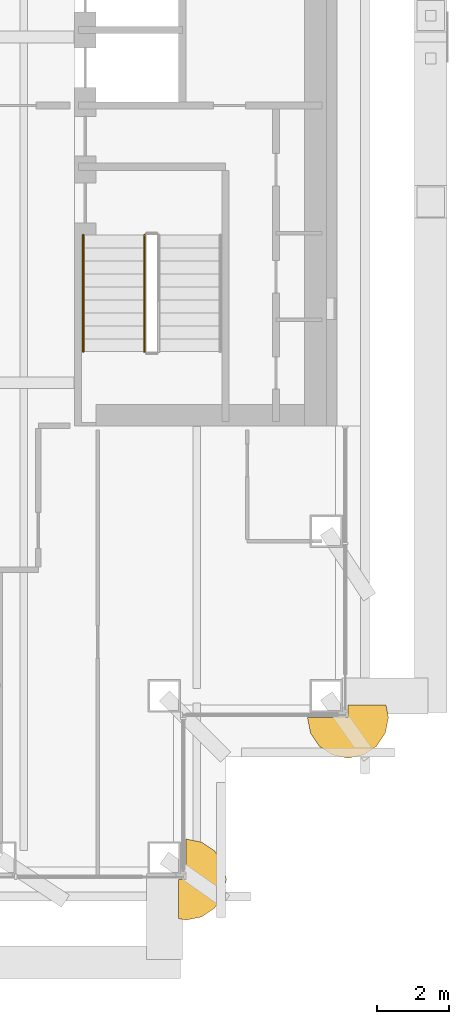
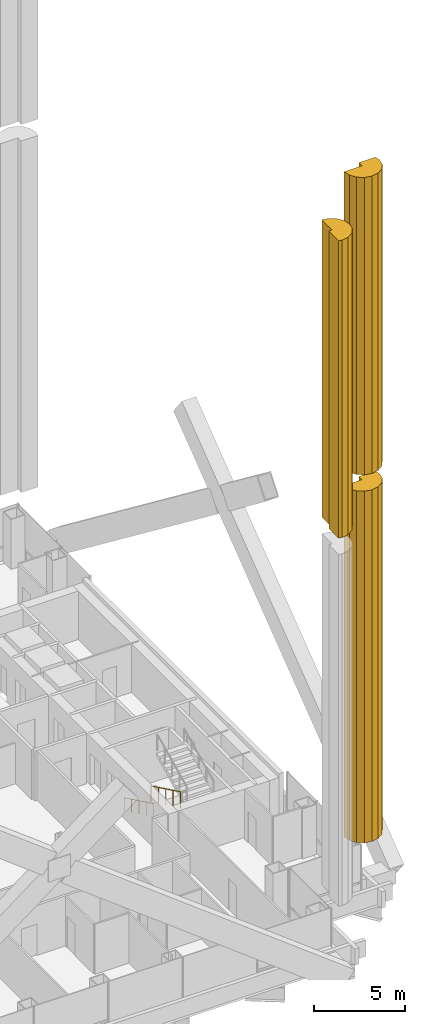
# One storey, part 19 of 22: 3 coverings, 2 railings.
"""IFC4 building model written with IfcOpenShell, lengths in metres."""

from ifc_helpers import new_model, si_unit, direction, frame, origin, origin_2d, place, context, subcontext, project, spatial, polyline, circle, outline, extrude, material, type_object, element, save


model = new_model("IFC4")

# Units and contexts
model_context = context("Model", 3, precision=1e-05, world=origin(), true_north=direction((0.0, 1.0)))
body_context = subcontext(model_context, "Body", "Model", "MODEL_VIEW")
ifc_project = project(units=[si_unit("LENGTHUNIT", "METRE"), si_unit("AREAUNIT", "SQUARE_METRE"), si_unit("VOLUMEUNIT", "CUBIC_METRE"), si_unit("PLANEANGLEUNIT", "RADIAN"), si_unit("MASSUNIT", "GRAM", prefix="KILO")], contexts=[model_context])

# Site, building, storey
site_placement = place(None, origin())
site = spatial("IfcSite", under=ifc_project, at=site_placement, CompositionType="ELEMENT")
building_placement = place(site_placement, origin())
building = spatial("IfcBuilding", under=site, at=building_placement, Name="Cobrizo Arcos Hotel Tower", CompositionType="ELEMENT")
storey_placement = place(building_placement, frame((0.0, 0.0, 89.0)))
storey = spatial("IfcBuildingStorey", under=building, at=storey_placement, Name="L21", CompositionType="ELEMENT", Elevation=89.0)

# Coverings
ifc_material_1 = material(Name="Aluminium 6063-T6 anodised pale", Category="aluminium")
covering_type = type_object("IfcCoveringType", Name="RB-2 notch bullnose roll R1125", PredefinedType="CLADDING", material=ifc_material_1)
covering_1_placement = place(storey_placement, frame((0.0, 0.0, 4.362548828125)))
element("IfcCovering", 1, at=covering_1_placement, inside=storey, type_object=covering_type, Name="Notch bullnose roll 11", PredefinedType="CLADDING", context=body_context, shape_type="SweptSolid", body=[
    extrude(outline(polyline([(22.6044921875, -19.695556640625), (22.969482421875, -19.939453125), (23.39990234375, -20.02490234375), (23.83056640625, -19.939453125), (24.195556640625, -19.695556640625), (24.439453125, -19.33056640625), (24.52490234375, -18.89990234375), (24.455322265625, -18.550048828125), (23.39990234375, -18.550048828125), (23.39990234375, -18.89990234375), (22.27490234375, -18.89990234375), (22.360595703125, -19.33056640625), (22.6044921875, -19.695556640625)])), origin(), (0.0, 0.0, 1.0), 23.58740234375),
])
covering_2_placement = place(storey_placement, frame((0.0, 0.0, 29.050048828125)))
element("IfcCovering", 2, at=covering_2_placement, inside=storey, type_object=covering_type, Name="Notch bullnose roll 11 part 2", PredefinedType="CLADDING", context=body_context, shape_type="SweptSolid", body=[
    extrude(outline(polyline([(22.6044921875, -19.695556640625), (22.969482421875, -19.939453125), (23.39990234375, -20.02490234375), (23.83056640625, -19.939453125), (24.195556640625, -19.695556640625), (24.439453125, -19.33056640625), (24.52490234375, -18.89990234375), (24.455322265625, -18.550048828125), (23.39990234375, -18.550048828125), (23.39990234375, -18.89990234375), (22.27490234375, -18.89990234375), (22.360595703125, -19.33056640625), (22.6044921875, -19.695556640625)])), origin(), (0.0, 0.0, 1.0), 19.949951171875),
])
covering_3_placement = place(storey_placement, frame((0.0, 0.0, 29.050048828125)))
element("IfcCovering", 3, at=covering_3_placement, inside=storey, type_object=covering_type, Name="Notch bullnose roll 14 part 2", PredefinedType="CLADDING", context=body_context, shape_type="SweptSolid", body=[
    extrude(outline(polyline([(19.695556640625, -22.6044921875), (19.33056640625, -22.360595703125), (18.89990234375, -22.27490234375), (18.89990234375, -23.39990234375), (18.699951171875, -23.39990234375), (18.699951171875, -24.485107421875), (18.89990234375, -24.52490234375), (19.33056640625, -24.439453125), (19.695556640625, -24.195556640625), (19.939453125, -23.83056640625), (20.02490234375, -23.39990234375), (19.939453125, -22.969482421875), (19.695556640625, -22.6044921875)])), origin(), (0.0, 0.0, 1.0), 19.949951171875),
])

# Railings
ifc_material_2 = material(Name="Stainless steel railing", Category="steel")
railing_type_1 = type_object("IfcRailingType", Name="Stair guard 1100", PredefinedType="GUARDRAIL", material=ifc_material_2)
railing_1_placement = place(storey_placement, frame((17.75, -5.5, 0.175048828125)))
element("IfcRailing", 4, at=railing_1_placement, inside=storey, type_object=railing_type_1, Name="L21 ST-E stair guard 1", PredefinedType="GUARDRAIL", context=body_context, shape_type="SweptSolid", body=[
    extrude(circle(Radius=0.02392578125, at=origin_2d()), frame((0.0, 0.0, 1.076171875), z_axis=(0.0, -0.899372665325, 0.437182809435), x_axis=(1.0, 0.0, 0.0)), (0.0, 0.0, 1.0), 3.6025390625),
    extrude(circle(Radius=0.02099609375, at=origin_2d()), origin(), (0.0, 0.0, 1.0), 1.052001953125),
    extrude(circle(Radius=0.02099609375, at=origin_2d()), frame((0.0, -0.81005859375, 0.393798828125)), (0.0, 0.0, 1.0), 1.052001953125),
    extrude(circle(Radius=0.02099609375, at=origin_2d()), frame((0.0, -1.6201171875, 0.78759765625)), (0.0, 0.0, 1.0), 1.052001953125),
    extrude(circle(Radius=0.02099609375, at=origin_2d()), frame((0.0, -2.429931640625, 1.18115234375)), (0.0, 0.0, 1.0), 1.052001953125),
    extrude(circle(Radius=0.02099609375, at=origin_2d()), frame((0.0, -3.239990234375, 1.574951171875)), (0.0, 0.0, 1.0), 1.052001953125),
])
railing_type_2 = type_object("IfcRailingType", Name="Stair handrail", PredefinedType="HANDRAIL", material=ifc_material_2)
railing_2_placement = place(storey_placement, frame((16.050048828125, -5.5, 0.175048828125)))
element("IfcRailing", 5, at=railing_2_placement, inside=storey, type_object=railing_type_2, Name="L21 ST-E stair handrail 1", PredefinedType="HANDRAIL", context=body_context, shape_type="SweptSolid", body=[
    extrude(circle(Radius=0.02392578125, at=origin_2d()), frame((0.0, 0.0, 0.8759765625), z_axis=(0.0, -0.899372665325, 0.437182809435), x_axis=(1.0, 0.0, 0.0)), (0.0, 0.0, 1.0), 3.6025390625),
    extrude(circle(Radius=0.02099609375, at=origin_2d()), origin(), (0.0, 0.0, 1.0), 0.851806640625),
    extrude(circle(Radius=0.02099609375, at=origin_2d()), frame((0.0, -0.81005859375, 0.393798828125)), (0.0, 0.0, 1.0), 0.851806640625),
    extrude(circle(Radius=0.02099609375, at=origin_2d()), frame((0.0, -1.6201171875, 0.78759765625)), (0.0, 0.0, 1.0), 0.851806640625),
    extrude(circle(Radius=0.02099609375, at=origin_2d()), frame((0.0, -2.429931640625, 1.18115234375)), (0.0, 0.0, 1.0), 0.851806640625),
    extrude(circle(Radius=0.02099609375, at=origin_2d()), frame((0.0, -3.239990234375, 1.574951171875)), (0.0, 0.0, 1.0), 0.851806640625),
])

save(model, "model.ifc")
